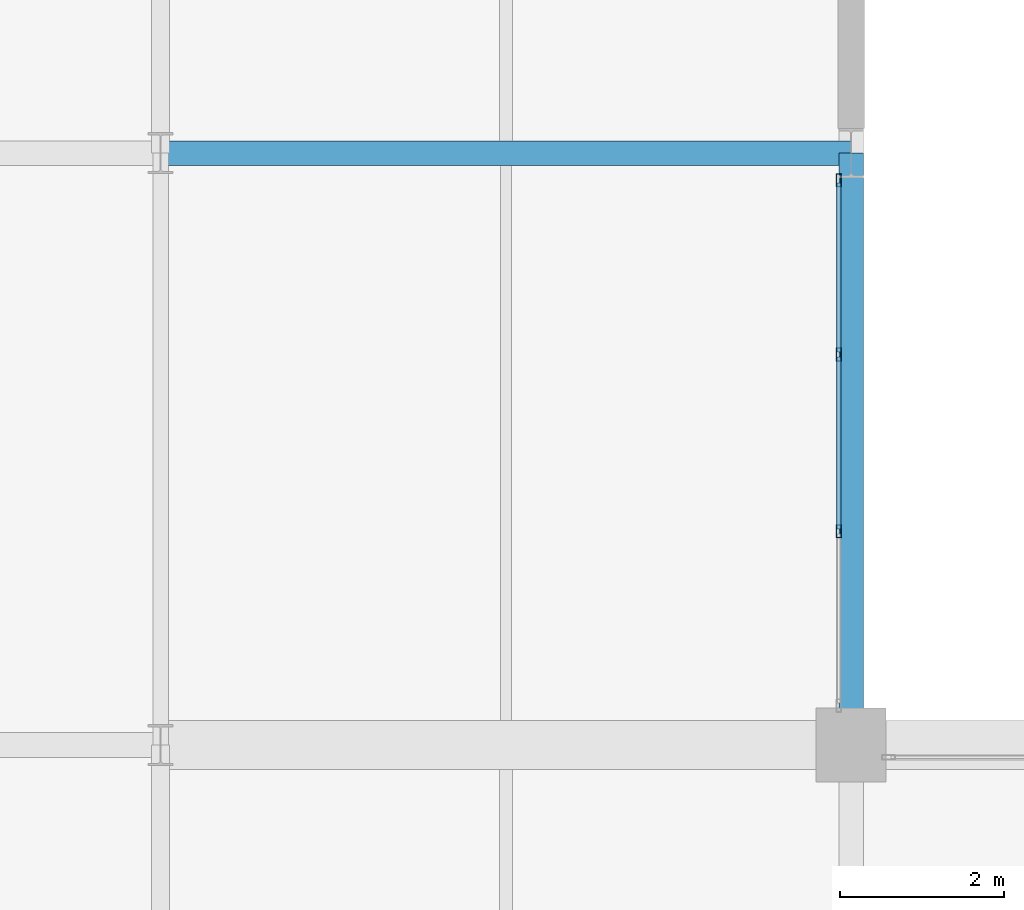
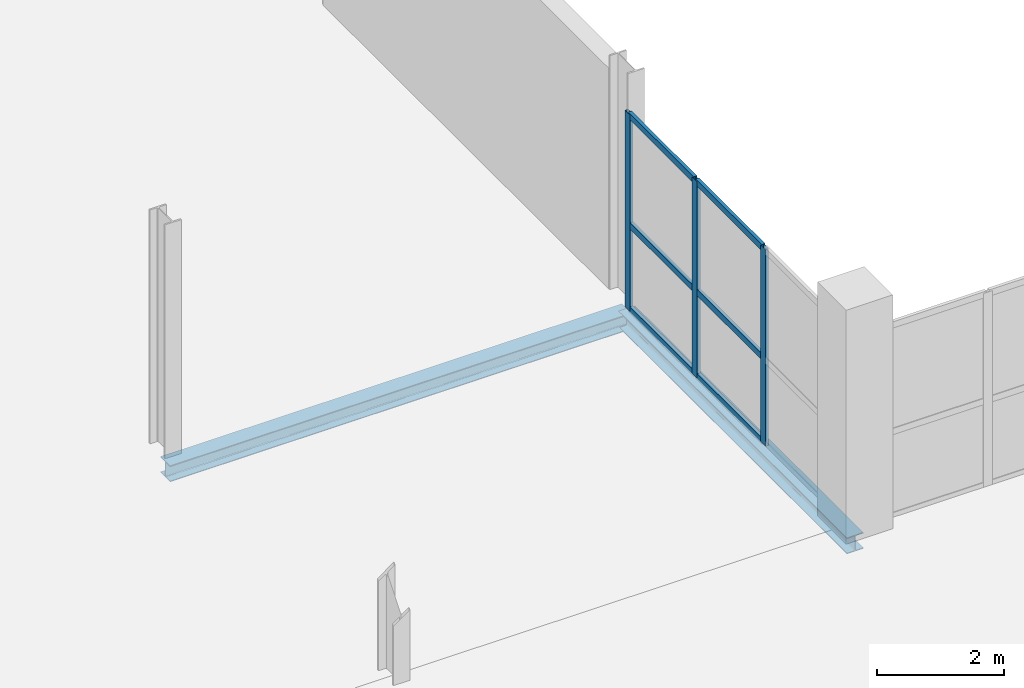
# One storey, part 38 of 109: 9 members, 2 beams, 1 element without a shape of its own.
"""IFC4 building model written with IfcOpenShell, lengths in metres."""

from ifc_helpers import new_model, si_unit, direction, frame, origin, origin_2d, place, context, subcontext, project, spatial, hollow_rectangle, i_section, extrude, material, material_profile, profile_set, type_object, element, aggregate, save


model = new_model("IFC4")

# Units and contexts
model_context = context("Model", 3, precision=1e-05, world=origin(), true_north=direction((0.0, 1.0)))
body_context = subcontext(model_context, "Body", "Model", "MODEL_VIEW")
ifc_project = project(units=[si_unit("LENGTHUNIT", "METRE"), si_unit("AREAUNIT", "SQUARE_METRE"), si_unit("VOLUMEUNIT", "CUBIC_METRE"), si_unit("PLANEANGLEUNIT", "RADIAN"), si_unit("MASSUNIT", "GRAM", prefix="KILO")], contexts=[model_context])

# Site, building, storey
site_placement = place(None, origin())
site = spatial("IfcSite", under=ifc_project, at=site_placement, CompositionType="ELEMENT")
building_placement = place(site_placement, origin())
building = spatial("IfcBuilding", under=site, at=building_placement, Name="Veltarok Museum of Natural Sciences", CompositionType="ELEMENT")
storey_placement = place(building_placement, frame((0.0, 0.0, 17.39990234375)))
storey = spatial("IfcBuildingStorey", under=building, at=storey_placement, Name="L03", CompositionType="ELEMENT", Elevation=17.39990234375)

# Curtain wall, members
ifc_material_1 = material(Name="Low-iron triple insulated glass", Category="glass")
curtain_wall_type = type_object("IfcCurtainWallType", Name="Curtain Wall System CW-V2E-L03-2-645x378 (CW-V2E L03 645x378cm)", PredefinedType="NOTDEFINED", material=ifc_material_1)
curtain_wall_placement = place(storey_placement, origin())
curtain_wall = element("IfcCurtainWall", 1, at=curtain_wall_placement, inside=storey, type_object=curtain_wall_type, Name="Curtain Wall CW-V2E-L03-2-645x378 CW-0134", PredefinedType="NOTDEFINED")
ifc_material_2 = material(Name="Thermally broken anodised aluminium", Category="aluminium")
ifc_material_profile_1 = material_profile(ifc_material_2, hollow_rectangle(XDim=0.06005859375, YDim=0.1201171875, WallThickness=0.0048828125, at=origin_2d()), Name="CW TRANSOM 60x120x5")
ifc_profile_set_1 = profile_set([ifc_material_profile_1], Name="Thermally broken anodised aluminium")
member_type_1 = type_object("IfcMemberType", Name="Curtain Wall Horizontal Transom 60x120x5", PredefinedType="USERDEFINED", material=ifc_profile_set_1)
member_1_placement = place(storey_placement, frame((98.64990234375, 21.830078125, 0.028076171875), z_axis=(0.0, 1.0, 0.0), x_axis=(-1.0, 0.0, 0.0)))
member_1 = element("IfcMember", 2, at=member_1_placement, type_object=member_type_1, Name="CW-V2E-L03-2-645x378 transom 2.1", ObjectType="TRANSOM", PredefinedType="USERDEFINED", context=body_context, shape_type="SweptSolid", body=[
    extrude(hollow_rectangle(XDim=0.06005859375, YDim=0.1201171875, WallThickness=0.0048828125, at=origin_2d()), origin(), (0.0, 0.0, 1.0), 2.08984375),
])
member_2_placement = place(storey_placement, frame((98.64990234375, 21.830078125, 1.648193359375), z_axis=(0.0, 1.0, 0.0), x_axis=(-1.0, 0.0, 0.0)))
member_2 = element("IfcMember", 3, at=member_2_placement, type_object=member_type_1, Name="CW-V2E-L03-2-645x378 transom 2.2", ObjectType="TRANSOM", PredefinedType="USERDEFINED", context=body_context, shape_type="SweptSolid", body=[
    extrude(hollow_rectangle(XDim=0.06005859375, YDim=0.1201171875, WallThickness=0.0048828125, at=origin_2d()), origin(), (0.0, 0.0, 1.0), 2.08984375),
])
member_3_placement = place(storey_placement, frame((98.64990234375, 21.830078125, 3.75), z_axis=(0.0, 1.0, 0.0), x_axis=(-1.0, 0.0, 0.0)))
member_3 = element("IfcMember", 4, at=member_3_placement, type_object=member_type_1, Name="CW-V2E-L03-2-645x378 transom 2.3", ObjectType="TRANSOM", PredefinedType="USERDEFINED", context=body_context, shape_type="SweptSolid", body=[
    extrude(hollow_rectangle(XDim=0.06005859375, YDim=0.1201171875, WallThickness=0.0048828125, at=origin_2d()), origin(), (0.0, 0.0, 1.0), 2.08984375),
])
member_4_placement = place(storey_placement, frame((98.64990234375, 23.97998046875, 0.028076171875), z_axis=(0.0, 1.0, 0.0), x_axis=(-1.0, 0.0, 0.0)))
member_4 = element("IfcMember", 5, at=member_4_placement, type_object=member_type_1, Name="CW-V2E-L03-2-645x378 transom 3.1", ObjectType="TRANSOM", PredefinedType="USERDEFINED", context=body_context, shape_type="SweptSolid", body=[
    extrude(hollow_rectangle(XDim=0.06005859375, YDim=0.1201171875, WallThickness=0.0048828125, at=origin_2d()), origin(), (0.0, 0.0, 1.0), 2.06005859375),
])
member_5_placement = place(storey_placement, frame((98.64990234375, 23.97998046875, 1.648193359375), z_axis=(0.0, 1.0, 0.0), x_axis=(-1.0, 0.0, 0.0)))
member_5 = element("IfcMember", 6, at=member_5_placement, type_object=member_type_1, Name="CW-V2E-L03-2-645x378 transom 3.2", ObjectType="TRANSOM", PredefinedType="USERDEFINED", context=body_context, shape_type="SweptSolid", body=[
    extrude(hollow_rectangle(XDim=0.06005859375, YDim=0.1201171875, WallThickness=0.0048828125, at=origin_2d()), origin(), (0.0, 0.0, 1.0), 2.06005859375),
])
member_6_placement = place(storey_placement, frame((98.64990234375, 23.97998046875, 3.75), z_axis=(0.0, 1.0, 0.0), x_axis=(-1.0, 0.0, 0.0)))
member_6 = element("IfcMember", 7, at=member_6_placement, type_object=member_type_1, Name="CW-V2E-L03-2-645x378 transom 3.3", ObjectType="TRANSOM", PredefinedType="USERDEFINED", context=body_context, shape_type="SweptSolid", body=[
    extrude(hollow_rectangle(XDim=0.06005859375, YDim=0.1201171875, WallThickness=0.0048828125, at=origin_2d()), origin(), (0.0, 0.0, 1.0), 2.06005859375),
])
ifc_material_profile_2 = material_profile(ifc_material_2, hollow_rectangle(XDim=0.06005859375, YDim=0.159912109375, WallThickness=0.0048828125, at=origin_2d()), Name="CW MULLION 60x160x5")
ifc_profile_set_2 = profile_set([ifc_material_profile_2], Name="Thermally broken anodised aluminium")
member_type_2 = type_object("IfcMemberType", Name="Curtain Wall Vertical Mullion 60x160x5", PredefinedType="MULLION", material=ifc_profile_set_2)
member_7_placement = place(storey_placement, frame((98.64990234375, 21.800048828125, -0.001953125), z_axis=(0.0, 0.0, 1.0), x_axis=(-1.0, 0.0, 0.0)))
member_7 = element("IfcMember", 8, at=member_7_placement, type_object=member_type_2, Name="CW-V2E-L03-2-645x378 mullion 2", PredefinedType="MULLION", context=body_context, shape_type="SweptSolid", body=[
    extrude(hollow_rectangle(XDim=0.06005859375, YDim=0.159912109375, WallThickness=0.0048828125, at=origin_2d()), origin(), (0.0, 0.0, 1.0), 3.781982421875),
])
member_8_placement = place(storey_placement, frame((98.64990234375, 23.949951171875, -0.001953125), z_axis=(0.0, 0.0, 1.0), x_axis=(-1.0, 0.0, 0.0)))
member_8 = element("IfcMember", 9, at=member_8_placement, type_object=member_type_2, Name="CW-V2E-L03-2-645x378 mullion 3", PredefinedType="MULLION", context=body_context, shape_type="SweptSolid", body=[
    extrude(hollow_rectangle(XDim=0.06005859375, YDim=0.159912109375, WallThickness=0.0048828125, at=origin_2d()), origin(), (0.0, 0.0, 1.0), 3.781982421875),
])
member_9_placement = place(storey_placement, frame((98.64990234375, 26.070068359375, -0.001953125), z_axis=(0.0, 0.0, 1.0), x_axis=(-1.0, 0.0, 0.0)))
member_9 = element("IfcMember", 10, at=member_9_placement, type_object=member_type_2, Name="CW-V2E-L03-2-645x378 mullion 4", PredefinedType="MULLION", context=body_context, shape_type="SweptSolid", body=[
    extrude(hollow_rectangle(XDim=0.06005859375, YDim=0.159912109375, WallThickness=0.0048828125, at=origin_2d()), origin(), (0.0, 0.0, 1.0), 3.781982421875),
])
aggregate(curtain_wall, [member_7, member_8, member_9, member_1, member_2, member_3, member_4, member_5, member_6])

# Beams
ifc_material_3 = material(Name="Steel S355J2", Category="steel")
ifc_material_profile_3 = material_profile(ifc_material_3, i_section(OverallWidth=0.300048828125, OverallDepth=0.31005859375, WebThickness=0.009033203125, FlangeThickness=0.015380859375, FilletRadius=0.027099609375, at=origin_2d()), Name="HEA 320")
ifc_profile_set_3 = profile_set([ifc_material_profile_3], Name="Steel S355J2")
beam_type = type_object("IfcBeamType", Name="Perimeter Edge Spandrel HEA 320", PredefinedType="SPANDREL", material=ifc_profile_set_3)
beam_1_placement = place(storey_placement, frame((90.39990234375, 26.39990234375, -0.40478515625), z_axis=(1.0, 0.0, 0.0), x_axis=(0.0, 1.0, 0.0)))
element("IfcBeam", 11, at=beam_1_placement, inside=storey, type_object=beam_type, Name="Beam BM-SP04 L03 11-12/D", PredefinedType="SPANDREL", context=body_context, shape_type="SweptSolid", body=[
    extrude(i_section(OverallWidth=0.300048828125, OverallDepth=0.31005859375, WebThickness=0.009033203125, FlangeThickness=0.015380859375, FilletRadius=0.027099609375, at=origin_2d()), origin(), (0.0, 0.0, 1.0), 8.400146484375),
])
beam_2_placement = place(storey_placement, frame((98.800048828125, 19.199951171875, -0.40478515625), z_axis=(0.0, 1.0, 0.0), x_axis=(-1.0, 0.0, 0.0)))
element("IfcBeam", 12, at=beam_2_placement, inside=storey, type_object=beam_type, Name="Beam BM-SP04 L03 12/C-D", PredefinedType="SPANDREL", context=body_context, shape_type="SweptSolid", body=[
    extrude(i_section(OverallWidth=0.300048828125, OverallDepth=0.31005859375, WebThickness=0.009033203125, FlangeThickness=0.015380859375, FilletRadius=0.027099609375, at=origin_2d()), origin(), (0.0, 0.0, 1.0), 7.199951171875),
])

save(model, "model.ifc")
